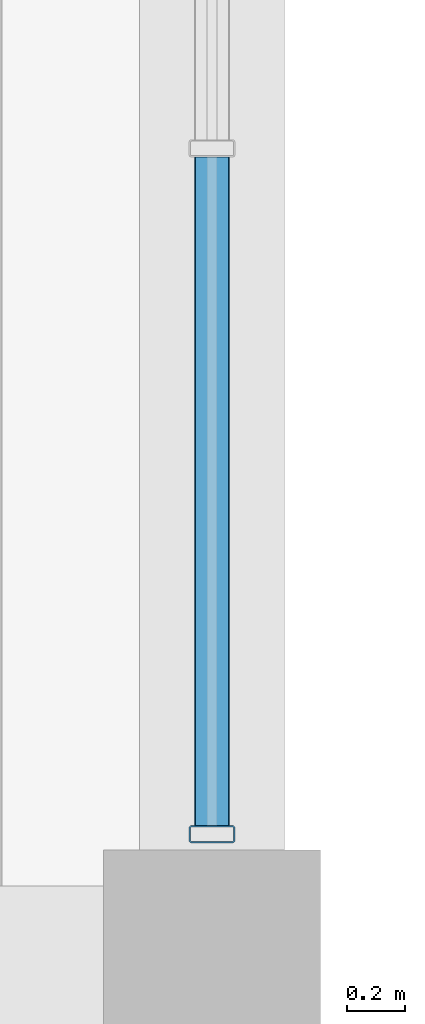
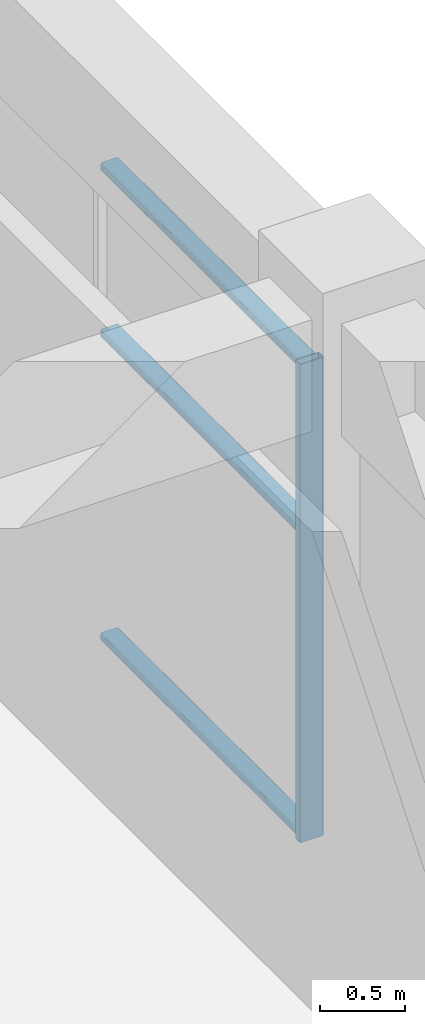
# One storey, part 12 of 55: 4 members, 1 element without a shape of its own.
"""IFC4 building model written with IfcOpenShell, lengths in metres."""

from ifc_helpers import new_model, si_unit, direction, frame, origin, origin_2d, place, context, subcontext, project, spatial, hollow_rectangle, extrude, material, layer, layer_set, material_profile, profile_set, type_object, element, aggregate, save


model = new_model("IFC4")

# Units and contexts
model_context = context("Model", 3, precision=1e-05, world=origin(), true_north=direction((0.0, 1.0)))
body_context = subcontext(model_context, "Body", "Model", "MODEL_VIEW")
ifc_project = project(units=[si_unit("LENGTHUNIT", "METRE"), si_unit("AREAUNIT", "SQUARE_METRE"), si_unit("VOLUMEUNIT", "CUBIC_METRE"), si_unit("PLANEANGLEUNIT", "RADIAN"), si_unit("MASSUNIT", "GRAM", prefix="KILO")], contexts=[model_context])

# Site, building, storey
site_placement = place(None, origin())
site = spatial("IfcSite", under=ifc_project, at=site_placement, CompositionType="ELEMENT")
building_placement = place(site_placement, origin())
building = spatial("IfcBuilding", under=site, at=building_placement, Name="Kelanora Arch Commons", CompositionType="ELEMENT")
storey_placement = place(building_placement, frame((0.0, 0.0, 4.5)))
storey = spatial("IfcBuildingStorey", under=building, at=storey_placement, Name="L01", CompositionType="ELEMENT", Elevation=4.5)

# Curtain wall, members
ifc_material_1 = material(Name="Terracotta ceramic-fritted low-E glass and aluminium", Category="masonry")
ifc_layer = layer(ifc_material_1, 0.16796875)
ifc_layer_set = layer_set([ifc_layer], Name="Terracotta ceramic-fritted low-E glass and aluminium")
curtain_wall_type = type_object("IfcCurtainWallType", Name="CW-SYS-07", PredefinedType="NOTDEFINED", material=ifc_layer_set)
curtain_wall_placement = place(storey_placement, origin())
curtain_wall = element("IfcCurtainWall", 1, at=curtain_wall_placement, inside=storey, type_object=curtain_wall_type, Name="Market Hall Arcade Curtain Wall L01-27", PredefinedType="NOTDEFINED")
ifc_material_2 = material(Name="Powder-coated aluminium terracotta", Category="masonry")
ifc_material_profile_1 = material_profile(ifc_material_2, hollow_rectangle(XDim=0.159912109375, YDim=0.06005859375, WallThickness=0.0048828125, InnerFilletRadius=0.0048828125, OuterFilletRadius=0.010009765625, at=origin_2d()), Name="CWM160x60")
ifc_profile_set_1 = profile_set([ifc_material_profile_1], Name="Powder-coated aluminium terracotta")
member_type_1 = type_object("IfcMemberType", Name="CWM-STD", PredefinedType="MULLION", material=ifc_profile_set_1)
member_1_placement = place(storey_placement, frame((36.0, 58.429931640625, 0.0), z_axis=(0.0, 0.0, 1.0), x_axis=(-1.0, 0.0, 0.0)))
member_1 = element("IfcMember", 2, at=member_1_placement, type_object=member_type_1, Name="CW-07 mullion 1", PredefinedType="MULLION", context=body_context, shape_type="SweptSolid", body=[
    extrude(hollow_rectangle(XDim=0.159912109375, YDim=0.06005859375, WallThickness=0.0048828125, InnerFilletRadius=0.0048828125, OuterFilletRadius=0.010009765625, at=origin_2d()), origin(), (0.0, 0.0, 1.0), 3.419921875),
])
ifc_material_profile_2 = material_profile(ifc_material_2, hollow_rectangle(XDim=0.1201171875, YDim=0.06005859375, WallThickness=0.0048828125, InnerFilletRadius=0.0048828125, OuterFilletRadius=0.010009765625, at=origin_2d()), Name="CWT120x60")
ifc_profile_set_2 = profile_set([ifc_material_profile_2], Name="Powder-coated aluminium terracotta")
member_type_2 = type_object("IfcMemberType", Name="CWT-STD", PredefinedType="USERDEFINED", material=ifc_profile_set_2)
member_2_placement = place(storey_placement, frame((36.0, 58.4599609375, 0.030029296875), z_axis=(0.0, 1.0, 0.0), x_axis=(-1.0, 0.0, 0.0)))
member_2 = element("IfcMember", 3, at=member_2_placement, type_object=member_type_2, Name="CW-07 transom 1.1", ObjectType="TRANSOM", PredefinedType="USERDEFINED", context=body_context, shape_type="SweptSolid", body=[
    extrude(hollow_rectangle(XDim=0.1201171875, YDim=0.06005859375, WallThickness=0.0048828125, InnerFilletRadius=0.0048828125, OuterFilletRadius=0.010009765625, at=origin_2d()), origin(), (0.0, 0.0, 1.0), 2.31005859375),
])
member_3_placement = place(storey_placement, frame((36.0, 58.4599609375, 2.199951171875), z_axis=(0.0, 1.0, 0.0), x_axis=(-1.0, 0.0, 0.0)))
member_3 = element("IfcMember", 4, at=member_3_placement, type_object=member_type_2, Name="CW-07 transom 1.2", ObjectType="TRANSOM", PredefinedType="USERDEFINED", context=body_context, shape_type="SweptSolid", body=[
    extrude(hollow_rectangle(XDim=0.1201171875, YDim=0.06005859375, WallThickness=0.0048828125, InnerFilletRadius=0.0048828125, OuterFilletRadius=0.010009765625, at=origin_2d()), origin(), (0.0, 0.0, 1.0), 2.31005859375),
])
member_4_placement = place(storey_placement, frame((36.0, 58.4599609375, 3.389892578125), z_axis=(0.0, 1.0, 0.0), x_axis=(-1.0, 0.0, 0.0)))
member_4 = element("IfcMember", 5, at=member_4_placement, type_object=member_type_2, Name="CW-07 transom 1.3", ObjectType="TRANSOM", PredefinedType="USERDEFINED", context=body_context, shape_type="SweptSolid", body=[
    extrude(hollow_rectangle(XDim=0.1201171875, YDim=0.06005859375, WallThickness=0.0048828125, InnerFilletRadius=0.0048828125, OuterFilletRadius=0.010009765625, at=origin_2d()), origin(), (0.0, 0.0, 1.0), 2.31005859375),
])
aggregate(curtain_wall, [member_1, member_2, member_3, member_4])

save(model, "model.ifc")
